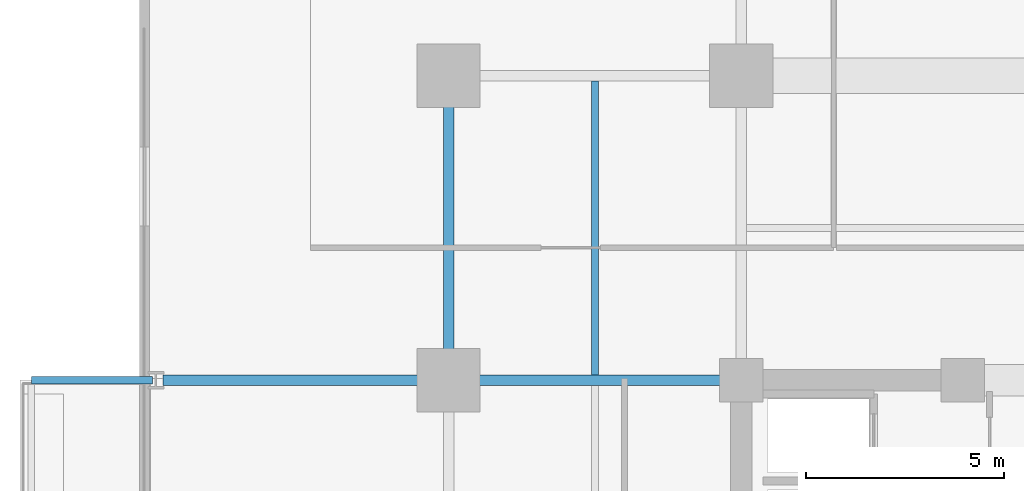
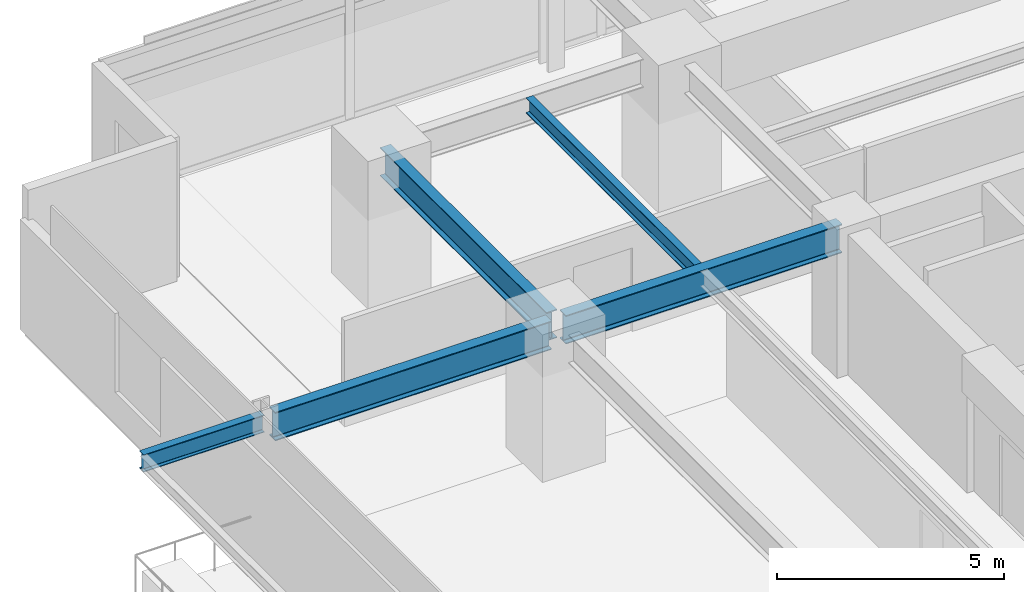
# One storey, part 5 of 23: 5 beams.
"""IFC4 building model written with IfcOpenShell, lengths in metres."""

from ifc_helpers import new_model, si_unit, direction, frame, origin, origin_2d, place, context, subcontext, project, spatial, i_section, extrude, material, material_profile, profile_set, type_object, element, save


model = new_model("IFC4")

# Units and contexts
model_context = context("Model", 3, precision=1e-05, world=origin(), true_north=direction((0.0, 1.0)))
body_context = subcontext(model_context, "Body", "Model", "MODEL_VIEW")
ifc_project = project(units=[si_unit("LENGTHUNIT", "METRE"), si_unit("AREAUNIT", "SQUARE_METRE"), si_unit("VOLUMEUNIT", "CUBIC_METRE"), si_unit("PLANEANGLEUNIT", "RADIAN"), si_unit("MASSUNIT", "GRAM", prefix="KILO")], contexts=[model_context])

# Site, building, storey
site_placement = place(None, origin())
site = spatial("IfcSite", under=ifc_project, at=site_placement, CompositionType="ELEMENT")
building_placement = place(site_placement, origin())
building = spatial("IfcBuilding", under=site, at=building_placement, Name="Kovane Verandah Tower", CompositionType="ELEMENT")
storey_placement = place(building_placement, frame((0.0, 0.0, 136.39990234375)))
storey = spatial("IfcBuildingStorey", under=building, at=storey_placement, Name="L31", CompositionType="ELEMENT", Elevation=136.39990234375)

# Beams
ifc_material = material(Name="Steel S355", Category="steel")
ifc_material_profile_1 = material_profile(ifc_material, i_section(OverallWidth=0.26806640625, OverallDepth=0.769775390625, WebThickness=0.015625, FlangeThickness=0.025390625, FilletRadius=0.0166015625, at=origin_2d()), Name="UB762x267x197")
ifc_profile_set_1 = profile_set([ifc_material_profile_1], Name="Steel S355")
beam_type_1 = type_object("IfcBeamType", Name="BM-UB762x197", PredefinedType="BEAM", material=ifc_profile_set_1)
beam_1_placement = place(storey_placement, frame((21.60009765625, 36.679931640625, 3.39013671875), z_axis=(0.0, 1.0, 0.0), x_axis=(-1.0, 0.0, 0.0)))
element("IfcBeam", 1, at=beam_1_placement, inside=storey, type_object=beam_type_1, Name="L31 Primary Tower Girder G-RW3", PredefinedType="BEAM", context=body_context, shape_type="SweptSolid", body=[
    extrude(i_section(OverallWidth=0.26806640625, OverallDepth=0.769775390625, WebThickness=0.015625, FlangeThickness=0.025390625, FilletRadius=0.0166015625, at=origin_2d()), origin(), (0.0, 0.0, 1.0), 7.340087890625),
])
for number, where, z_axis, x_axis, name in (
    (2, (28.820068359375, 36.5, 3.39013671875), (-1.0, 0.0, 0.0), (0.0, -1.0, 0.0), "L31 Primary Tower Girder G-W2"),
    (3, (21.419921875, 36.5, 3.375244140625), (-1.0, 0.0, 0.0), (0.0, -1.0, 0.0), "L31 Primary Tower Girder G-VW2"),
):
    element("IfcBeam", number, at=place(storey_placement, frame(where, z_axis=z_axis, x_axis=x_axis)), inside=storey, type_object=beam_type_1, Name=name, PredefinedType="BEAM", context=body_context, shape_type="SweptSolid", body=[
        extrude(i_section(OverallWidth=0.26806640625, OverallDepth=0.769775390625, WebThickness=0.015625, FlangeThickness=0.025390625, FilletRadius=0.0166015625, at=origin_2d()), origin(), (0.0, 0.0, 1.0), 7.0400390625),
    ])
ifc_material_profile_2 = material_profile(ifc_material, i_section(OverallWidth=0.179443359375, OverallDepth=0.412841796875, WebThickness=0.009521484375, FlangeThickness=0.01611328125, FilletRadius=0.01025390625, at=origin_2d()), Name="UB406x178x74")
ifc_profile_set_2 = profile_set([ifc_material_profile_2], Name="Steel S355")
beam_type_2 = type_object("IfcBeamType", Name="JST-UB406x74", PredefinedType="JOIST", material=ifc_profile_set_2)
beam_2_placement = place(storey_placement, frame((25.300048828125, 36.632080078125, 3.568603515625), z_axis=(0.0, 1.0, 0.0), x_axis=(-1.0, 0.0, 0.0)))
element("IfcBeam", 4, at=beam_2_placement, inside=storey, type_object=beam_type_2, Name="L31 Secondary Composite Joist J-NW1", PredefinedType="JOIST", context=body_context, shape_type="SweptSolid", body=[
    extrude(i_section(OverallWidth=0.179443359375, OverallDepth=0.412841796875, WebThickness=0.009521484375, FlangeThickness=0.01611328125, FilletRadius=0.01025390625, at=origin_2d()), origin(), (0.0, 0.0, 1.0), 7.43603515625),
])
ifc_material_profile_3 = material_profile(ifc_material, i_section(OverallWidth=0.19287109375, OverallDepth=0.46728515625, WebThickness=0.011474609375, FlangeThickness=0.01953125, FilletRadius=0.01025390625, at=origin_2d()), Name="UB457x191x98")
ifc_profile_set_3 = profile_set([ifc_material_profile_3], Name="Steel S355")
beam_type_3 = type_object("IfcBeamType", Name="JST-UB457x98", PredefinedType="JOIST", material=ifc_profile_set_3)
beam_3_placement = place(storey_placement, frame((14.1201171875, 36.5, 3.526611328125), z_axis=(-1.0, 0.0, 0.0), x_axis=(0.0, -1.0, 0.0)))
element("IfcBeam", 5, at=beam_3_placement, inside=storey, type_object=beam_type_3, Name="L31 West Planter Girder 2", PredefinedType="JOIST", context=body_context, shape_type="SweptSolid", body=[
    extrude(i_section(OverallWidth=0.19287109375, OverallDepth=0.46728515625, WebThickness=0.011474609375, FlangeThickness=0.01953125, FilletRadius=0.01025390625, at=origin_2d()), origin(), (0.0, 0.0, 1.0), 3.0712890625),
])

save(model, "model.ifc")
